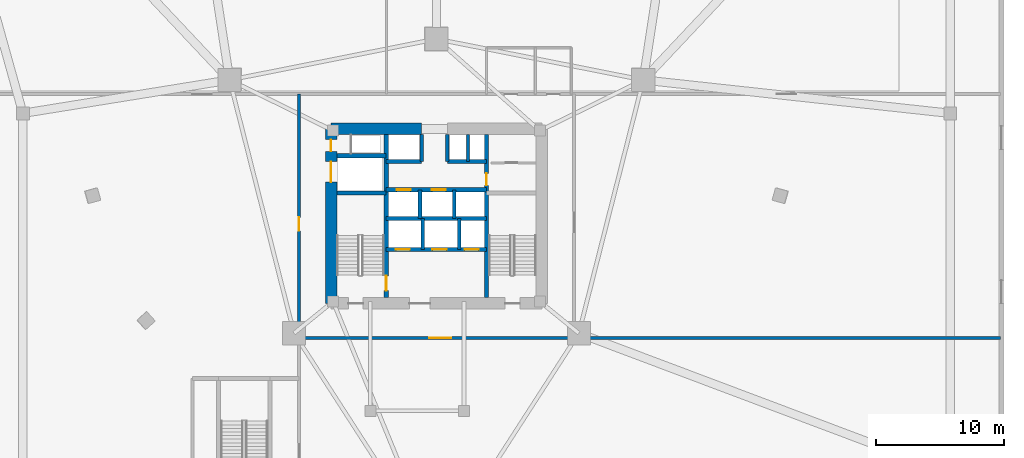
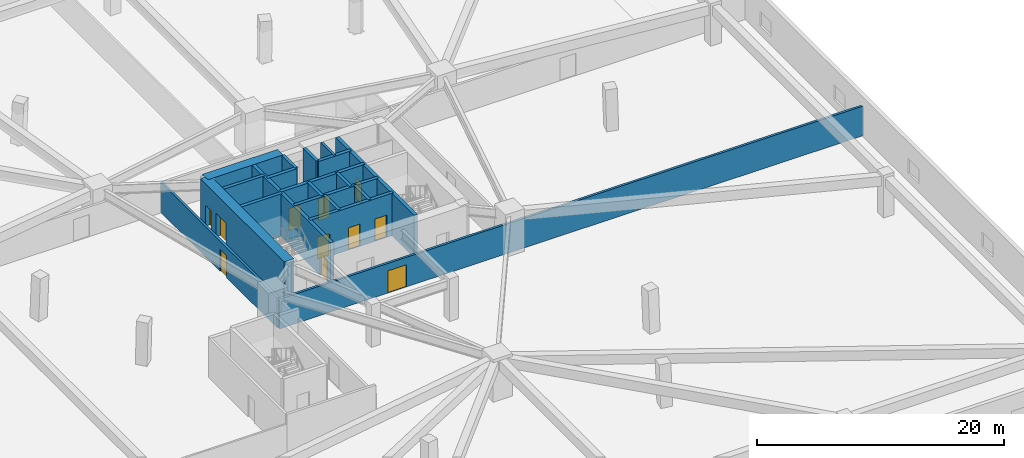
# One storey, part 5 of 10: 20 walls, 11 doors, 11 openings.
"""IFC4 building model written with IfcOpenShell, lengths in metres."""

from ifc_helpers import new_model, si_unit, direction, frame, frame_2d, origin, place, context, subcontext, project, spatial, rectangle, extrude, material, layer, layer_set, type_object, element, fill, save


model = new_model("IFC4")

# Units and contexts
model_context = context("Model", 3, precision=1e-05, world=origin(), true_north=direction((0.0, 1.0)))
body_context = subcontext(model_context, "Body", "Model", "MODEL_VIEW")
ifc_project = project(units=[si_unit("LENGTHUNIT", "METRE"), si_unit("AREAUNIT", "SQUARE_METRE"), si_unit("VOLUMEUNIT", "CUBIC_METRE"), si_unit("PLANEANGLEUNIT", "RADIAN"), si_unit("MASSUNIT", "GRAM", prefix="KILO")], contexts=[model_context])

# Site, building, storey
site_placement = place(None, origin())
site = spatial("IfcSite", under=ifc_project, at=site_placement, CompositionType="ELEMENT")
building_placement = place(site_placement, origin())
building = spatial("IfcBuilding", under=site, at=building_placement, Name="Talyreon Biosciences Tower", CompositionType="ELEMENT")
storey_placement = place(building_placement, frame((0.0, 0.0, 10.199951171875)))
storey = spatial("IfcBuildingStorey", under=building, at=storey_placement, Name="L02", CompositionType="ELEMENT", Elevation=10.199951171875)

# Walls
ifc_material_1 = material(Name="Concrete C50/60", Category="concrete")
ifc_layer_1 = layer(ifc_material_1, 0.219970703125)
ifc_layer_set_1 = layer_set([ifc_layer_1], Name="Concrete C50/60")
wall_type_1 = type_object("IfcWallType", Name="CoreShearWall_220", PredefinedType="SHEAR", material=ifc_layer_set_1)
wall_1_placement = place(storey_placement, frame((68.4599609375, 72.25, 0.0), z_axis=(0.0, 0.0, 1.0), x_axis=(0.0, 1.0, 0.0)))
element("IfcWall", 1, at=wall_1_placement, inside=storey, type_object=wall_type_1, Name="L02 Core Shaft Wall SWPHD", PredefinedType="SHEAR", context=body_context, shape_type="SweptSolid", body=[
    extrude(rectangle(XDim=2.10009765625, YDim=0.219970703125, at=frame_2d((1.050048828125, 0.0))), origin(), (0.0, 0.0, 1.0), 4.199951171875),
])
ifc_layer_2 = layer(ifc_material_1, 0.280029296875)
ifc_layer_set_2 = layer_set([ifc_layer_2], Name="Concrete C50/60")
wall_type_2 = type_object("IfcWallType", Name="CoreShearWall_280", PredefinedType="SHEAR", material=ifc_layer_set_2)
wall_2_placement = place(storey_placement, frame((64.919921875, 65.39990234375, 0.0), z_axis=(0.0, 0.0, 1.0), x_axis=(0.0, 1.0, 0.0)))
element("IfcWall", 2, at=wall_2_placement, inside=storey, type_object=wall_type_2, Name="L02 Core Shaft Wall SWSHD1", PredefinedType="SHEAR", context=body_context, shape_type="SweptSolid", body=[
    extrude(rectangle(XDim=2.400146484375, YDim=0.280029296875, at=frame_2d((1.2001953125, 0.0))), origin(), (0.0, 0.0, 1.0), 4.199951171875),
])
for number, where, z_axis, x_axis, name in (
    (3, (64.85009765625, 72.25, 0.0), (0.0, 0.0, 1.0), (0.0, 1.0, 0.0), "L02 Core Shaft Wall SWTHW"),
    (4, (66.85009765625, 72.25, 0.0), (0.0, 0.0, 1.0), (0.0, 1.0, 0.0), "L02 Core Shaft Wall SWTHE"),
):
    element("IfcWall", number, at=place(storey_placement, frame(where, z_axis=z_axis, x_axis=x_axis)), inside=storey, type_object=wall_type_2, Name=name, PredefinedType="SHEAR", context=body_context, shape_type="SweptSolid", body=[
        extrude(rectangle(XDim=2.10009765625, YDim=0.280029296875, at=frame_2d((1.050048828125, 0.0))), origin(), (0.0, 0.0, 1.0), 4.199951171875),
    ])
wall_3_placement = place(storey_placement, frame((67.780029296875, 65.39990234375, 0.0), z_axis=(0.0, 0.0, 1.0), x_axis=(0.0, 1.0, 0.0)))
element("IfcWall", 5, at=wall_3_placement, inside=storey, type_object=wall_type_2, Name="L02 Core Shaft Wall SWSHD2", PredefinedType="SHEAR", context=body_context, shape_type="SweptSolid", body=[
    extrude(rectangle(XDim=2.400146484375, YDim=0.280029296875, at=frame_2d((1.2001953125, 0.0))), origin(), (0.0, 0.0, 1.0), 4.199951171875),
])
for number, where, z_axis, x_axis, name in (
    (6, (64.719970703125, 67.800048828125, 0.0), (0.0, 0.0, 1.0), (0.0, 1.0, 0.0), "L02 Core Shaft Wall SWPLD"),
    (7, (67.3798828125, 67.800048828125, 0.0), (0.0, 0.0, 1.0), (0.0, 1.0, 0.0), "L02 Core Shaft Wall SWPMD"),
):
    element("IfcWall", number, at=place(storey_placement, frame(where, z_axis=z_axis, x_axis=x_axis)), inside=storey, type_object=wall_type_2, Name=name, PredefinedType="SHEAR", context=body_context, shape_type="SweptSolid", body=[
        extrude(rectangle(XDim=2.25, YDim=0.280029296875, at=frame_2d((1.125, 0.0))), origin(), (0.0, 0.0, 1.0), 4.199951171875),
    ])

# Wall, opening, door
ifc_layer_3 = layer(ifc_material_1, 0.320068359375)
ifc_layer_set_3 = layer_set([ifc_layer_3], Name="Concrete C50/60")
wall_type_3 = type_object("IfcWallType", Name="CoreShearWall_320", PredefinedType="SHEAR", material=ifc_layer_set_3)
wall_4_placement = place(storey_placement, frame((62.090087890625, 61.64990234375, 0.0), z_axis=(0.0, 0.0, 1.0), x_axis=(0.0, 1.0, 0.0)))
wall_4 = element("IfcWall", 8, at=wall_4_placement, inside=storey, type_object=wall_type_3, Name="L02 Core Shaft Wall SW1E", PredefinedType="SHEAR", context=body_context, shape_type="SweptSolid", body=[
    extrude(rectangle(XDim=12.7001953125, YDim=0.320068359375, at=frame_2d((6.35009765625, 0.0))), origin(), (0.0, 0.0, 1.0), 4.199951171875),
])
opening_1_placement = place(wall_4_placement, frame((0.550048828125, 0.0, 0.0)))
opening_1 = element("IfcOpeningElement", 9, at=opening_1_placement, cuts=wall_4, Name="Opening DR-L02-FF-ST1", PredefinedType="OPENING", context=body_context, shape_type="SweptSolid", body=[
    extrude(rectangle(XDim=1.14990234375, YDim=2.14990234375, at=frame_2d((0.574951171875, 1.074951171875))), frame((0.0, 0.169921875, 0.0), z_axis=(0.0, -1.0, 0.0), x_axis=(1.0, 0.0, 0.0)), (0.0, 0.0, 1.0), 0.340087890625),
])
ifc_material_2 = material(Name="Painted steel fire door", Category="steel")
door_type_1 = type_object("IfcDoorType", Name="StairShaftFireDoor_1150x2150", OperationType="NOTDEFINED", PredefinedType="DOOR", material=ifc_material_2)
door_1_placement = place(opening_1_placement, origin())
door_1 = element("IfcDoor", 10, at=door_1_placement, inside=storey, type_object=door_type_1, Name="L02 Core Door DR-L02-FF-ST1", OperationType="SINGLE_SWING_LEFT", OverallHeight=2.14990234375, OverallWidth=1.14990234375, PredefinedType="DOOR", context=body_context, shape_type="SweptSolid", body=[
    extrude(rectangle(XDim=1.14990234375, YDim=2.14990234375, at=frame_2d((0.574951171875, 1.074951171875))), frame((0.0, 0.02490234375, 0.0), z_axis=(0.0, -1.0, 0.0), x_axis=(1.0, 0.0, 0.0)), (0.0, 0.0, 1.0), 0.050048828125),
])
fill(opening_1, door_1)

wall_5_placement = place(storey_placement, frame((69.909912109375, 61.64990234375, 0.0), z_axis=(0.0, 0.0, 1.0), x_axis=(0.0, 1.0, 0.0)))
wall_5 = element("IfcWall", 11, at=wall_5_placement, inside=storey, type_object=wall_type_3, Name="L02 Core Shaft Wall SW2W", PredefinedType="SHEAR", context=body_context, shape_type="SweptSolid", body=[
    extrude(rectangle(XDim=12.7001953125, YDim=0.320068359375, at=frame_2d((6.35009765625, 0.0))), origin(), (0.0, 0.0, 1.0), 4.199951171875),
])
opening_2_placement = place(wall_5_placement, frame((8.75, 0.0, 0.0)))
opening_2 = element("IfcOpeningElement", 12, at=opening_2_placement, cuts=wall_5, Name="Opening DR-L02-CSRV", PredefinedType="OPENING", context=body_context, shape_type="SweptSolid", body=[
    extrude(rectangle(XDim=0.919921875, YDim=2.050048828125, at=frame_2d((0.4599609375, 1.02490234375))), frame((0.0, 0.169921875, 0.0), z_axis=(0.0, -1.0, 0.0), x_axis=(1.0, 0.0, 0.0)), (0.0, 0.0, 1.0), 0.340087890625),
])
ifc_material_3 = material(Name="Painted steel fire-rated riser door", Category="steel")
door_type_2 = type_object("IfcDoorType", Name="RiserPlantAccessDoor_920x2050", OperationType="NOTDEFINED", PredefinedType="DOOR", material=ifc_material_3)
door_2_placement = place(opening_2_placement, origin())
door_2 = element("IfcDoor", 13, at=door_2_placement, inside=storey, type_object=door_type_2, Name="L02 Core Door DR-L02-CSRV", OperationType="SINGLE_SWING_RIGHT", OverallHeight=2.050048828125, OverallWidth=0.919921875, PredefinedType="DOOR", context=body_context, shape_type="SweptSolid", body=[
    extrude(rectangle(XDim=0.919921875, YDim=2.050048828125, at=frame_2d((0.4599609375, 1.02490234375))), frame((0.0, 0.02490234375, 0.0), z_axis=(0.0, -1.0, 0.0), x_axis=(1.0, 0.0, 0.0)), (0.0, 0.0, 1.0), 0.050048828125),
])
fill(opening_2, door_2)

# Walls
for number, where, z_axis, x_axis, name in (
    (14, (58.25, 69.81005859375, 0.0), (0.0, 0.0, 1.0), (1.0, 0.0, 0.0), "L02 Core Shaft Wall SW1N"),
    (15, (58.25, 72.699951171875, 0.0), (0.0, 0.0, 1.0), (1.0, 0.0, 0.0), "L02 Core Shaft Wall SWGLN"),
):
    element("IfcWall", number, at=place(storey_placement, frame(where, z_axis=z_axis, x_axis=x_axis)), inside=storey, type_object=wall_type_3, Name=name, PredefinedType="SHEAR", context=body_context, shape_type="SweptSolid", body=[
        extrude(rectangle(XDim=3.840087890625, YDim=0.320068359375, at=frame_2d((1.919921875, 0.0))), origin(), (0.0, 0.0, 1.0), 4.199951171875),
    ])
wall_6_placement = place(storey_placement, frame((62.090087890625, 67.800048828125, 0.0), z_axis=(0.0, 0.0, 1.0), x_axis=(1.0, 0.0, 0.0)))
element("IfcWall", 16, at=wall_6_placement, inside=storey, type_object=wall_type_3, Name="L02 Core Shaft Wall SWSHM", PredefinedType="SHEAR", context=body_context, shape_type="SweptSolid", body=[
    extrude(rectangle(XDim=7.81982421875, YDim=0.320068359375, at=frame_2d((3.909912109375, 0.0))), origin(), (0.0, 0.0, 1.0), 4.199951171875),
])

# Wall, openings, doors
wall_7_placement = place(storey_placement, frame((62.090087890625, 70.050048828125, 0.0), z_axis=(0.0, 0.0, 1.0), x_axis=(1.0, 0.0, 0.0)))
wall_7 = element("IfcWall", 17, at=wall_7_placement, inside=storey, type_object=wall_type_3, Name="L02 Core Shaft Wall SWSPN", PredefinedType="SHEAR", context=body_context, shape_type="SweptSolid", body=[
    extrude(rectangle(XDim=7.81982421875, YDim=0.320068359375, at=frame_2d((3.909912109375, 0.0))), origin(), (0.0, 0.0, 1.0), 4.199951171875),
])
opening_3_placement = place(wall_7_placement, frame((0.800048828125, 0.0, 0.0)))
opening_3 = element("IfcOpeningElement", 18, at=opening_3_placement, cuts=wall_7, Name="Opening LD-L02-PL1", PredefinedType="OPENING", context=body_context, shape_type="SweptSolid", body=[
    extrude(rectangle(XDim=1.10009765625, YDim=2.199951171875, at=frame_2d((0.550048828125, 1.10009765625))), frame((0.0, 0.169921875, 0.0), z_axis=(0.0, -1.0, 0.0), x_axis=(1.0, 0.0, 0.0)), (0.0, 0.0, 1.0), 0.340087890625),
])
opening_4_placement = place(wall_7_placement, frame((3.550048828125, 0.0, 0.0)))
opening_4 = element("IfcOpeningElement", 19, at=opening_4_placement, cuts=wall_7, Name="Opening LD-L02-PL2", PredefinedType="OPENING", context=body_context, shape_type="SweptSolid", body=[
    extrude(rectangle(XDim=1.10009765625, YDim=2.199951171875, at=frame_2d((0.550048828125, 1.10009765625))), frame((0.0, 0.169921875, 0.0), z_axis=(0.0, -1.0, 0.0), x_axis=(1.0, 0.0, 0.0)), (0.0, 0.0, 1.0), 0.340087890625),
])
ifc_material_4 = material(Name="Brushed stainless-steel lift landing door", Category="steel")
door_type_3 = type_object("IfcDoorType", Name="LiftSlidingLandingDoor_1100x2200", OperationType="SLIDING_TO_LEFT", PredefinedType="DOOR", material=ifc_material_4)
door_3_placement = place(opening_3_placement, origin())
door_3 = element("IfcDoor", 20, at=door_3_placement, inside=storey, type_object=door_type_3, Name="L02 Core Door LD-L02-PL1", OperationType="SLIDING_TO_LEFT", OverallHeight=2.199951171875, OverallWidth=1.10009765625, PredefinedType="DOOR", context=body_context, shape_type="SweptSolid", body=[
    extrude(rectangle(XDim=1.10009765625, YDim=2.199951171875, at=frame_2d((0.550048828125, 1.10009765625))), frame((0.0, 0.02490234375, 0.0), z_axis=(0.0, -1.0, 0.0), x_axis=(1.0, 0.0, 0.0)), (0.0, 0.0, 1.0), 0.050048828125),
])
fill(opening_3, door_3)
door_4_placement = place(opening_4_placement, origin())
door_4 = element("IfcDoor", 21, at=door_4_placement, inside=storey, type_object=door_type_3, Name="L02 Core Door LD-L02-PL2", OperationType="SLIDING_TO_LEFT", OverallHeight=2.199951171875, OverallWidth=1.10009765625, PredefinedType="DOOR", context=body_context, shape_type="SweptSolid", body=[
    extrude(rectangle(XDim=1.10009765625, YDim=2.199951171875, at=frame_2d((0.550048828125, 1.10009765625))), frame((0.0, 0.02490234375, 0.0), z_axis=(0.0, -1.0, 0.0), x_axis=(1.0, 0.0, 0.0)), (0.0, 0.0, 1.0), 0.050048828125),
])
fill(opening_4, door_4)

# Walls
wall_8_placement = place(storey_placement, frame((62.090087890625, 72.25, 0.0), z_axis=(0.0, 0.0, 1.0), x_axis=(1.0, 0.0, 0.0)))
element("IfcWall", 22, at=wall_8_placement, inside=storey, type_object=wall_type_3, Name="L02 Core Shaft Wall SWNPW", PredefinedType="SHEAR", context=body_context, shape_type="SweptSolid", body=[
    extrude(rectangle(XDim=2.760009765625, YDim=0.320068359375, at=frame_2d((1.3798828125, 0.0))), origin(), (0.0, 0.0, 1.0), 4.199951171875),
])
wall_9_placement = place(storey_placement, frame((66.85009765625, 72.25, 0.0), z_axis=(0.0, 0.0, 1.0), x_axis=(1.0, 0.0, 0.0)))
element("IfcWall", 23, at=wall_9_placement, inside=storey, type_object=wall_type_3, Name="L02 Core Shaft Wall SWNPE", PredefinedType="SHEAR", context=body_context, shape_type="SweptSolid", body=[
    extrude(rectangle(XDim=3.059814453125, YDim=0.320068359375, at=frame_2d((1.52978515625, 0.0))), origin(), (0.0, 0.0, 1.0), 4.199951171875),
])

# Wall, openings, doors
wall_10_placement = place(storey_placement, frame((62.090087890625, 65.39990234375, 0.0), z_axis=(0.0, 0.0, 1.0), x_axis=(1.0, 0.0, 0.0)))
wall_10 = element("IfcWall", 24, at=wall_10_placement, inside=storey, type_object=wall_type_3, Name="L02 Core Shaft Wall SWFFN", PredefinedType="SHEAR", context=body_context, shape_type="SweptSolid", body=[
    extrude(rectangle(XDim=7.81982421875, YDim=0.320068359375, at=frame_2d((3.909912109375, 0.0))), origin(), (0.0, 0.0, 1.0), 4.199951171875),
])
opening_5_placement = place(wall_10_placement, frame((6.10009765625, 0.0, 0.0)))
opening_5 = element("IfcOpeningElement", 25, at=opening_5_placement, cuts=wall_10, Name="Opening LD-L02-PK1", PredefinedType="OPENING", context=body_context, shape_type="SweptSolid", body=[
    extrude(rectangle(XDim=1.10009765625, YDim=2.199951171875, at=frame_2d((0.550048828125, 1.10009765625))), frame((0.0, 0.169921875, 0.0), z_axis=(0.0, -1.0, 0.0), x_axis=(1.0, 0.0, 0.0)), (0.0, 0.0, 1.0), 0.340087890625),
])
opening_6_placement = place(wall_10_placement, frame((0.75, 0.0, 0.0)))
opening_6 = element("IfcOpeningElement", 26, at=opening_6_placement, cuts=wall_10, Name="Opening LD-L02-FL1", PredefinedType="OPENING", context=body_context, shape_type="SweptSolid", body=[
    extrude(rectangle(XDim=1.10009765625, YDim=2.199951171875, at=frame_2d((0.550048828125, 1.10009765625))), frame((0.0, 0.169921875, 0.0), z_axis=(0.0, -1.0, 0.0), x_axis=(1.0, 0.0, 0.0)), (0.0, 0.0, 1.0), 0.340087890625),
])
opening_7_placement = place(wall_10_placement, frame((3.60009765625, 0.0, 0.0)))
opening_7 = element("IfcOpeningElement", 27, at=opening_7_placement, cuts=wall_10, Name="Opening LD-L02-FL2", PredefinedType="OPENING", context=body_context, shape_type="SweptSolid", body=[
    extrude(rectangle(XDim=1.10009765625, YDim=2.199951171875, at=frame_2d((0.550048828125, 1.10009765625))), frame((0.0, 0.169921875, 0.0), z_axis=(0.0, -1.0, 0.0), x_axis=(1.0, 0.0, 0.0)), (0.0, 0.0, 1.0), 0.340087890625),
])
door_5_placement = place(opening_5_placement, origin())
door_5 = element("IfcDoor", 28, at=door_5_placement, inside=storey, type_object=door_type_3, Name="L02 Core Door LD-L02-PK1", OperationType="SLIDING_TO_LEFT", OverallHeight=2.199951171875, OverallWidth=1.10009765625, PredefinedType="DOOR", context=body_context, shape_type="SweptSolid", body=[
    extrude(rectangle(XDim=1.10009765625, YDim=2.199951171875, at=frame_2d((0.550048828125, 1.10009765625))), frame((0.0, 0.02490234375, 0.0), z_axis=(0.0, -1.0, 0.0), x_axis=(1.0, 0.0, 0.0)), (0.0, 0.0, 1.0), 0.050048828125),
])
fill(opening_5, door_5)
door_6_placement = place(opening_6_placement, origin())
door_6 = element("IfcDoor", 29, at=door_6_placement, inside=storey, type_object=door_type_3, Name="L02 Core Door LD-L02-FL1", OperationType="SLIDING_TO_LEFT", OverallHeight=2.199951171875, OverallWidth=1.10009765625, PredefinedType="DOOR", context=body_context, shape_type="SweptSolid", body=[
    extrude(rectangle(XDim=1.10009765625, YDim=2.199951171875, at=frame_2d((0.550048828125, 1.10009765625))), frame((0.0, 0.02490234375, 0.0), z_axis=(0.0, -1.0, 0.0), x_axis=(1.0, 0.0, 0.0)), (0.0, 0.0, 1.0), 0.050048828125),
])
fill(opening_6, door_6)
door_7_placement = place(opening_7_placement, origin())
door_7 = element("IfcDoor", 30, at=door_7_placement, inside=storey, type_object=door_type_3, Name="L02 Core Door LD-L02-FL2", OperationType="SLIDING_TO_LEFT", OverallHeight=2.199951171875, OverallWidth=1.10009765625, PredefinedType="DOOR", context=body_context, shape_type="SweptSolid", body=[
    extrude(rectangle(XDim=1.10009765625, YDim=2.199951171875, at=frame_2d((0.550048828125, 1.10009765625))), frame((0.0, 0.02490234375, 0.0), z_axis=(0.0, -1.0, 0.0), x_axis=(1.0, 0.0, 0.0)), (0.0, 0.0, 1.0), 0.050048828125),
])
fill(opening_7, door_7)

# Wall
ifc_material_5 = material(Name="Concrete C60/75", Category="concrete")
ifc_layer_4 = layer(ifc_material_5, 0.89990234375)
ifc_layer_set_4 = layer_set([ifc_layer_4], Name="Concrete C60/75")
wall_type_4 = type_object("IfcWallType", Name="CoreShearWall_900", PredefinedType="SHEAR", material=ifc_layer_set_4)
wall_11_placement = place(storey_placement, frame((64.85009765625, 74.800048828125, 0.0), z_axis=(0.0, 0.0, 1.0), x_axis=(-1.0, 0.0, 0.0)))
element("IfcWall", 31, at=wall_11_placement, inside=storey, type_object=wall_type_4, Name="L02 Core Shear Wall NW", PredefinedType="SHEAR", context=body_context, shape_type="SweptSolid", body=[
    extrude(rectangle(XDim=7.050048828125, YDim=0.89990234375, at=frame_2d((3.52490234375, 0.0))), origin(), (0.0, 0.0, 1.0), 4.199951171875),
])

# Wall, openings, doors
wall_12_placement = place(storey_placement, frame((57.800048828125, 74.800048828125, 0.0), z_axis=(0.0, 0.0, 1.0), x_axis=(0.0, -1.0, 0.0)))
wall_12 = element("IfcWall", 32, at=wall_12_placement, inside=storey, type_object=wall_type_4, Name="L02 Core Shear Wall W", PredefinedType="SHEAR", context=body_context, shape_type="SweptSolid", body=[
    extrude(rectangle(XDim=13.60009765625, YDim=0.89990234375, at=frame_2d((6.800048828125, 0.0))), origin(), (0.0, 0.0, 1.0), 4.199951171875),
])
opening_8_placement = place(wall_12_placement, frame((0.85009765625, 0.0, 0.0)))
opening_8 = element("IfcOpeningElement", 33, at=opening_8_placement, cuts=wall_12, Name="Opening DR-L02-RSW", PredefinedType="OPENING", context=body_context, shape_type="SweptSolid", body=[
    extrude(rectangle(XDim=0.919921875, YDim=2.050048828125, at=frame_2d((0.4599609375, 1.02490234375))), frame((0.0, 0.4599609375, 0.0), z_axis=(0.0, -1.0, 0.0), x_axis=(1.0, 0.0, 0.0)), (0.0, 0.0, 1.0), 0.919921875),
])
opening_9_placement = place(wall_12_placement, frame((2.550048828125, 0.0, 0.0)))
opening_9 = element("IfcOpeningElement", 34, at=opening_9_placement, cuts=wall_12, Name="Opening LD-L02-GL1", PredefinedType="OPENING", context=body_context, shape_type="SweptSolid", body=[
    extrude(rectangle(XDim=1.60009765625, YDim=2.300048828125, at=frame_2d((0.800048828125, 1.14990234375))), frame((0.0, 0.4599609375, 0.0), z_axis=(0.0, -1.0, 0.0), x_axis=(1.0, 0.0, 0.0)), (0.0, 0.0, 1.0), 0.919921875),
])
ifc_material_6 = material(Name="Heavy-duty stainless-steel goods lift door", Category="steel")
door_type_4 = type_object("IfcDoorType", Name="GoodsLiftSlidingDoor_1600x2300", OperationType="DOUBLE_DOOR_SLIDING", PredefinedType="DOOR", material=ifc_material_6)
door_8_placement = place(opening_9_placement, origin())
door_8 = element("IfcDoor", 35, at=door_8_placement, inside=storey, type_object=door_type_4, Name="L02 Core Door LD-L02-GL1", OperationType="DOUBLE_DOOR_SLIDING", OverallHeight=2.300048828125, OverallWidth=1.60009765625, PredefinedType="DOOR", context=body_context, shape_type="SweptSolid", body=[
    extrude(rectangle(XDim=1.60009765625, YDim=2.300048828125, at=frame_2d((0.800048828125, 1.14990234375))), frame((0.0, 0.02490234375, 0.0), z_axis=(0.0, -1.0, 0.0), x_axis=(1.0, 0.0, 0.0)), (0.0, 0.0, 1.0), 0.050048828125),
])
fill(opening_9, door_8)
door_9_placement = place(opening_8_placement, origin())
door_9 = element("IfcDoor", 36, at=door_9_placement, inside=storey, type_object=door_type_2, Name="L02 Core Door DR-L02-RSW", OperationType="SINGLE_SWING_LEFT", OverallHeight=2.050048828125, OverallWidth=0.919921875, PredefinedType="DOOR", context=body_context, shape_type="SweptSolid", body=[
    extrude(rectangle(XDim=0.919921875, YDim=2.050048828125, at=frame_2d((0.4599609375, 1.02490234375))), frame((0.0, 0.02490234375, 0.0), z_axis=(0.0, -1.0, 0.0), x_axis=(1.0, 0.0, 0.0)), (0.0, 0.0, 1.0), 0.050048828125),
])
fill(opening_8, door_9)

# Wall, opening, door
ifc_material_7 = material(Name="Gypsum fireboard acoustic stud", Category="gypsum")
ifc_layer_5 = layer(ifc_material_7, 0.219970703125)
ifc_layer_set_5 = layer_set([ifc_layer_5], Name="Gypsum fireboard acoustic stud")
wall_type_5 = type_object("IfcWallType", Name="CorridorRatedPartition_220", PredefinedType="PARTITIONING", material=ifc_layer_set_5)
wall_13_placement = place(storey_placement, frame((55.300048828125, 58.5, 0.0), z_axis=(0.0, 0.0, 1.0), x_axis=(1.0, 0.0, 0.0)))
wall_13 = element("IfcWall", 37, at=wall_13_placement, inside=storey, type_object=wall_type_5, Name="L02 Interior Wall IW-L02-S", PredefinedType="PARTITIONING", context=body_context, shape_type="SweptSolid", body=[
    extrude(rectangle(XDim=54.614990234375, YDim=0.219970703125, at=frame_2d((27.3076171875, 0.0))), origin(), (0.0, 0.0, 1.0), 2.929931640625),
])
opening_10_placement = place(wall_13_placement, frame((10.14990234375, 0.0, 0.0)))
opening_10 = element("IfcOpeningElement", 38, at=opening_10_placement, cuts=wall_13, Name="Opening DR-L02-SW1", PredefinedType="OPENING", context=body_context, shape_type="SweptSolid", body=[
    extrude(rectangle(XDim=1.699951171875, YDim=2.199951171875, at=frame_2d((0.85009765625, 1.10009765625))), frame((0.0, 0.119873046875, 0.0), z_axis=(0.0, -1.0, 0.0), x_axis=(1.0, 0.0, 0.0)), (0.0, 0.0, 1.0), 0.239990234375),
])
ifc_material_8 = material(Name="Acoustic oak seminar double door", Category="wood")
door_type_5 = type_object("IfcDoorType", Name="MeetingSeminarDoubleDoor_1700x2200", OperationType="DOUBLE_DOOR_SINGLE_SWING", PredefinedType="DOOR", material=ifc_material_8)
door_10_placement = place(opening_10_placement, origin())
door_10 = element("IfcDoor", 39, at=door_10_placement, inside=storey, type_object=door_type_5, Name="L02 Interior Door DR-L02-SW1", OperationType="DOUBLE_DOOR_SINGLE_SWING", OverallHeight=2.199951171875, OverallWidth=1.699951171875, PredefinedType="DOOR", context=body_context, shape_type="SweptSolid", body=[
    extrude(rectangle(XDim=1.699951171875, YDim=2.199951171875, at=frame_2d((0.85009765625, 1.10009765625))), frame((0.0, 0.02490234375, 0.0), z_axis=(0.0, -1.0, 0.0), x_axis=(1.0, 0.0, 0.0)), (0.0, 0.0, 1.0), 0.050048828125),
])
fill(opening_10, door_10)

wall_14_placement = place(storey_placement, frame((55.300048828125, 58.6201171875, 0.0), z_axis=(0.0, 0.0, 1.0), x_axis=(0.0, 1.0, 0.0)))
wall_14 = element("IfcWall", 40, at=wall_14_placement, inside=storey, type_object=wall_type_5, Name="L02 Interior Wall IW-L02-W", PredefinedType="PARTITIONING", context=body_context, shape_type="SweptSolid", body=[
    extrude(rectangle(XDim=18.8798828125, YDim=0.219970703125, at=frame_2d((9.43994140625, 0.0))), origin(), (0.0, 0.0, 1.0), 2.97998046875),
])
opening_11_placement = place(wall_14_placement, frame((8.22509765625, 0.0, 0.0)))
opening_11 = element("IfcOpeningElement", 41, at=opening_11_placement, cuts=wall_14, Name="Opening DR-L02-WW", PredefinedType="OPENING", context=body_context, shape_type="SweptSolid", body=[
    extrude(rectangle(XDim=1.050048828125, YDim=2.14990234375, at=frame_2d((0.52490234375, 1.074951171875))), frame((0.0, 0.119873046875, 0.0), z_axis=(0.0, -1.0, 0.0), x_axis=(1.0, 0.0, 0.0)), (0.0, 0.0, 1.0), 0.239990234375),
])
ifc_material_9 = material(Name="Acoustic timber-core laboratory door", Category="wood")
door_type_6 = type_object("IfcDoorType", Name="DryLabSingleDoor_1050x2150", OperationType="NOTDEFINED", PredefinedType="DOOR", material=ifc_material_9)
door_11_placement = place(opening_11_placement, origin())
door_11 = element("IfcDoor", 42, at=door_11_placement, inside=storey, type_object=door_type_6, Name="L02 Interior Door DR-L02-WW", OperationType="SINGLE_SWING_RIGHT", OverallHeight=2.14990234375, OverallWidth=1.050048828125, PredefinedType="DOOR", context=body_context, shape_type="SweptSolid", body=[
    extrude(rectangle(XDim=1.050048828125, YDim=2.14990234375, at=frame_2d((0.52490234375, 1.074951171875))), frame((0.0, 0.02490234375, 0.0), z_axis=(0.0, -1.0, 0.0), x_axis=(1.0, 0.0, 0.0)), (0.0, 0.0, 1.0), 0.050048828125),
])
fill(opening_11, door_11)

save(model, "model.ifc")
